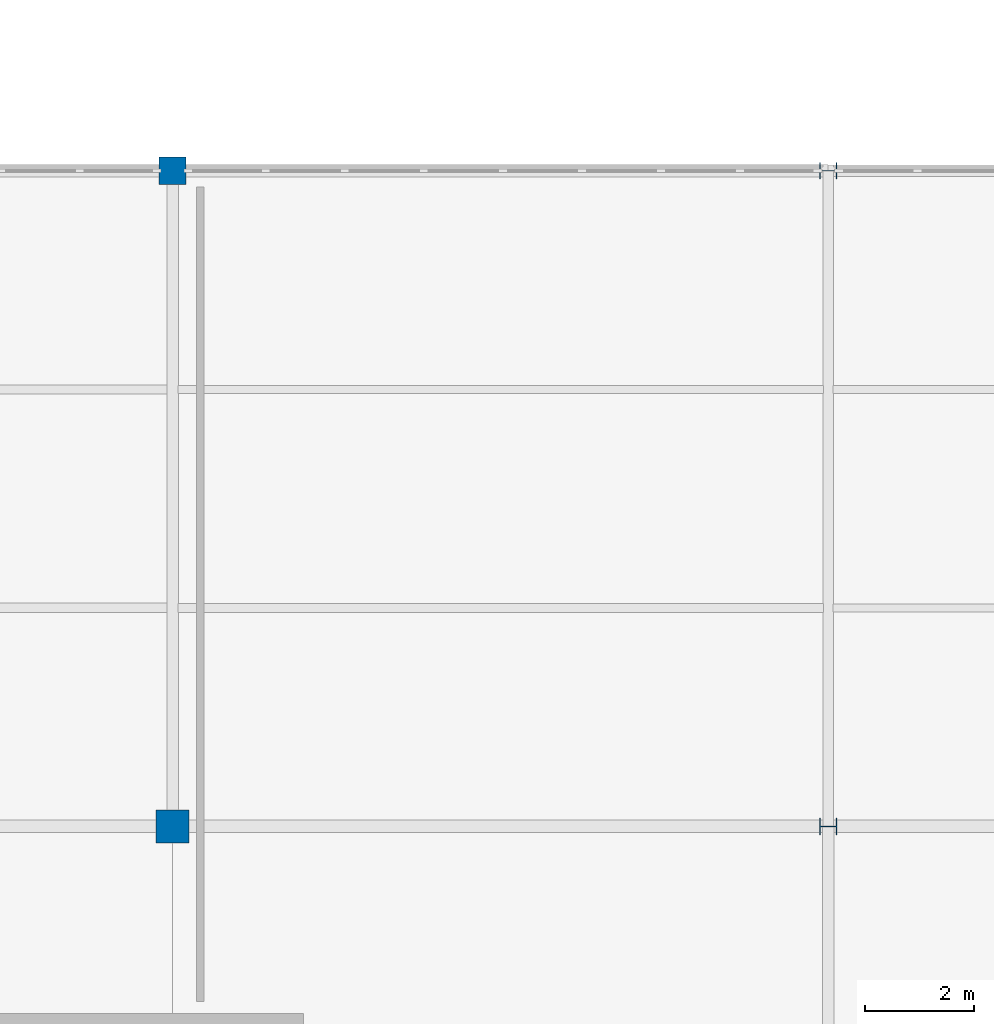
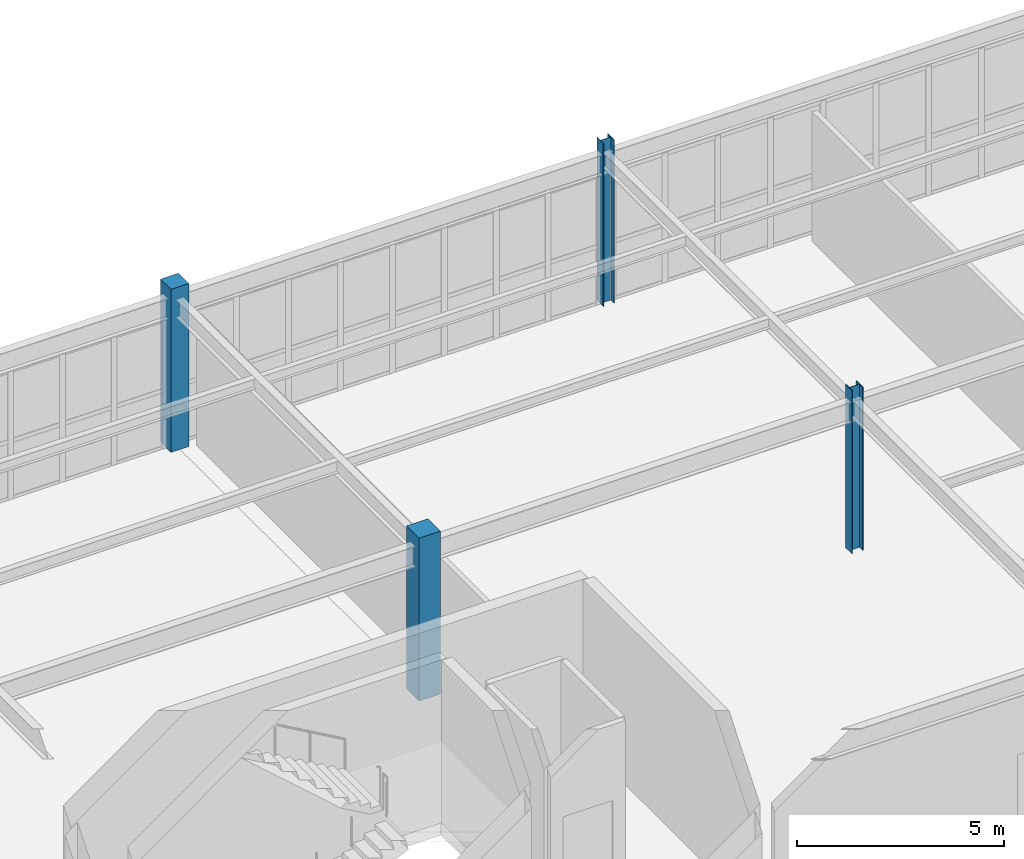
# One storey, part 41 of 186: 4 columns.
"""IFC4 building model written with IfcOpenShell, lengths in metres."""

from ifc_helpers import new_model, si_unit, direction, frame, origin, origin_2d, place, context, subcontext, project, spatial, rectangle, i_section, extrude, material, material_profile, profile_set, type_object, element, save


model = new_model("IFC4")

# Units and contexts
model_context = context("Model", 3, precision=1e-05, world=origin(), true_north=direction((0.0, 1.0)))
body_context = subcontext(model_context, "Body", "Model", "MODEL_VIEW")
ifc_project = project(units=[si_unit("LENGTHUNIT", "METRE"), si_unit("AREAUNIT", "SQUARE_METRE"), si_unit("VOLUMEUNIT", "CUBIC_METRE"), si_unit("PLANEANGLEUNIT", "RADIAN"), si_unit("MASSUNIT", "GRAM", prefix="KILO")], contexts=[model_context])

# Site, building, storey
site_placement = place(None, origin())
site = spatial("IfcSite", under=ifc_project, at=site_placement, CompositionType="ELEMENT")
building_placement = place(site_placement, origin())
building = spatial("IfcBuilding", under=site, at=building_placement, Name="Tarnwether General Hospital", CompositionType="ELEMENT")
storey_placement = place(building_placement, frame((0.0, 0.0, 9.60009765625)))
storey = spatial("IfcBuildingStorey", under=building, at=storey_placement, Name="L02", CompositionType="ELEMENT", Elevation=9.60009765625)

# Columns
ifc_material_1 = material(Name="Steel Grade 350 (350 MPa)", Category="steel")
ifc_material_profile_1 = material_profile(ifc_material_1, i_section(OverallWidth=0.30908203125, OverallDepth=0.321044921875, WebThickness=0.013916015625, FlangeThickness=0.021728515625, at=origin_2d()), Name="310UC137")
ifc_profile_set_1 = profile_set([ifc_material_profile_1], Name="Steel Grade 350 (350 MPa)")
column_type_1 = type_object("IfcColumnType", Name="COL-06", PredefinedType="COLUMN", material=ifc_profile_set_1)
column_1_placement = place(storey_placement, frame((180.0, 33.60009765625, 0.0), z_axis=(0.0, 0.0, 1.0), x_axis=(0.0, 1.0, 0.0)))
element("IfcColumn", 1, at=column_1_placement, inside=storey, type_object=column_type_1, Name="Column COLG-L02-18000_3360", PredefinedType="COLUMN", context=body_context, shape_type="SweptSolid", body=[
    extrude(i_section(OverallWidth=0.30908203125, OverallDepth=0.321044921875, WebThickness=0.013916015625, FlangeThickness=0.021728515625, at=origin_2d()), origin(), (0.0, 0.0, 1.0), 4.7998046875),
])
ifc_material_2 = material(Name="Steel Grade 350 (350 MPa)", Category="steel")
ifc_material_profile_2 = material_profile(ifc_material_2, i_section(OverallWidth=0.306884765625, OverallDepth=0.31494140625, WebThickness=0.011962890625, FlangeThickness=0.018798828125, at=origin_2d()), Name="310UC118")
ifc_profile_set_2 = profile_set([ifc_material_profile_2], Name="Steel Grade 350 (350 MPa)")
column_type_2 = type_object("IfcColumnType", Name="COL-07", PredefinedType="COLUMN", material=ifc_profile_set_2)
column_2_placement = place(storey_placement, frame((180.0, 45.60009765625, 0.0), z_axis=(0.0, 0.0, 1.0), x_axis=(0.0, 1.0, 0.0)))
element("IfcColumn", 2, at=column_2_placement, inside=storey, type_object=column_type_2, Name="Column COLG-L02-18000_4560", PredefinedType="COLUMN", context=body_context, shape_type="SweptSolid", body=[
    extrude(i_section(OverallWidth=0.306884765625, OverallDepth=0.31494140625, WebThickness=0.011962890625, FlangeThickness=0.018798828125, at=origin_2d()), origin(), (0.0, 0.0, 1.0), 4.7998046875),
])
ifc_material_3 = material(Name="Concrete 50 MPa", Category="concrete")
ifc_material_profile_3 = material_profile(ifc_material_3, rectangle(XDim=0.60009765625, YDim=0.60009765625, at=origin_2d()), Name="RC-COL-600x600")
ifc_profile_set_3 = profile_set([ifc_material_profile_3], Name="Concrete 50 MPa")
column_type_3 = type_object("IfcColumnType", Name="COL-19", PredefinedType="COLUMN", material=ifc_profile_set_3)
column_3_placement = place(storey_placement, frame((168.0, 33.60009765625, 0.0), z_axis=(0.0, 0.0, 1.0), x_axis=(1.0, 0.0, 0.0)))
element("IfcColumn", 3, at=column_3_placement, inside=storey, type_object=column_type_3, Name="Column COLG-L02-16800_3360", PredefinedType="COLUMN", context=body_context, shape_type="SweptSolid", body=[
    extrude(rectangle(XDim=0.60009765625, YDim=0.60009765625, at=origin_2d()), origin(), (0.0, 0.0, 1.0), 4.7998046875),
])
ifc_material_4 = material(Name="Concrete 50 MPa", Category="concrete")
ifc_material_profile_4 = material_profile(ifc_material_4, rectangle(XDim=0.5, YDim=0.5, at=origin_2d()), Name="RC-COL-500x500")
ifc_profile_set_4 = profile_set([ifc_material_profile_4], Name="Concrete 50 MPa")
column_type_4 = type_object("IfcColumnType", Name="COL-20", PredefinedType="COLUMN", material=ifc_profile_set_4)
column_4_placement = place(storey_placement, frame((168.0, 45.60009765625, 0.0), z_axis=(0.0, 0.0, 1.0), x_axis=(1.0, 0.0, 0.0)))
element("IfcColumn", 4, at=column_4_placement, inside=storey, type_object=column_type_4, Name="Column COLG-L02-16800_4560", PredefinedType="COLUMN", context=body_context, shape_type="SweptSolid", body=[
    extrude(rectangle(XDim=0.5, YDim=0.5, at=origin_2d()), origin(), (0.0, 0.0, 1.0), 4.7998046875),
])

save(model, "model.ifc")
